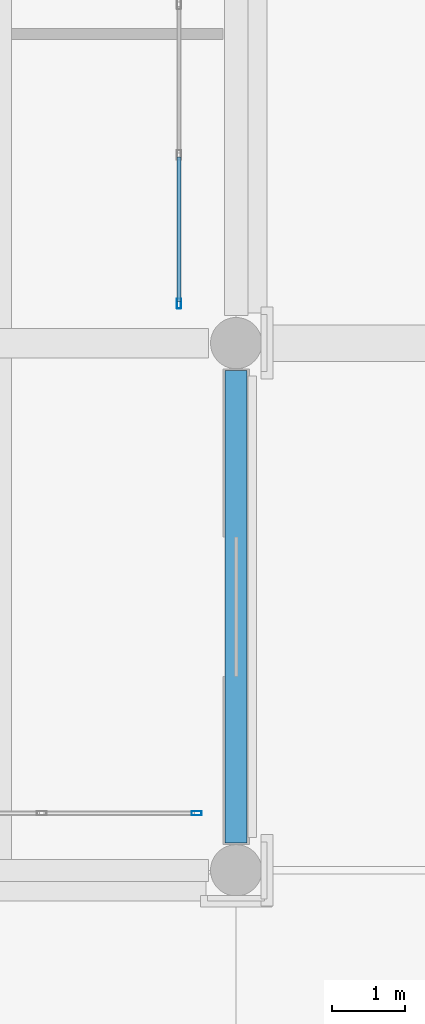
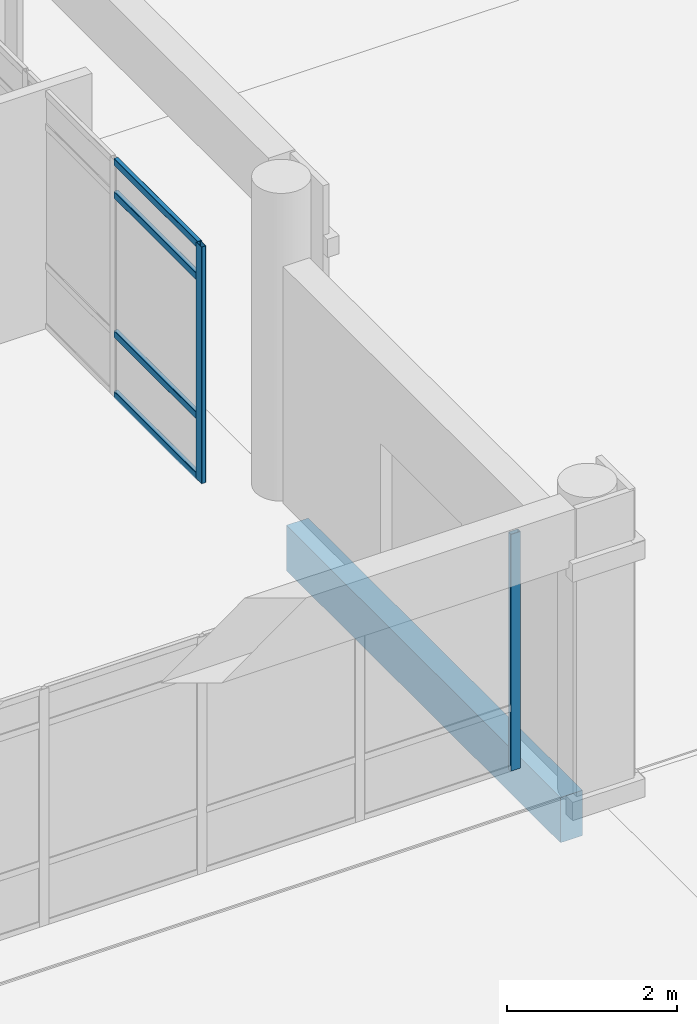
# One storey, part 60 of 196: 6 members, 1 beam, 2 elements without a shape of their own.
"""IFC4 building model written with IfcOpenShell, lengths in metres."""

from ifc_helpers import new_model, si_unit, direction, frame, origin, origin_2d, place, context, subcontext, project, spatial, rectangle, hollow_rectangle, extrude, material, layer, layer_set, material_profile, profile_set, type_object, element, aggregate, save


model = new_model("IFC4")

# Units and contexts
model_context = context("Model", 3, precision=1e-05, world=origin(), true_north=direction((0.0, 1.0)))
body_context = subcontext(model_context, "Body", "Model", "MODEL_VIEW")
ifc_project = project(units=[si_unit("LENGTHUNIT", "METRE"), si_unit("AREAUNIT", "SQUARE_METRE"), si_unit("VOLUMEUNIT", "CUBIC_METRE"), si_unit("PLANEANGLEUNIT", "RADIAN"), si_unit("MASSUNIT", "GRAM", prefix="KILO")], contexts=[model_context])

# Site, building, storey
site_placement = place(None, origin())
site = spatial("IfcSite", under=ifc_project, at=site_placement, CompositionType="ELEMENT")
building_placement = place(site_placement, origin())
building = spatial("IfcBuilding", under=site, at=building_placement, Name="Asteropetra Specialist Clinic", CompositionType="ELEMENT")
storey_placement = place(building_placement, origin())
storey = spatial("IfcBuildingStorey", under=building, at=storey_placement, Name="L00", CompositionType="ELEMENT", Elevation=0.0)

# Curtain wall, member
ifc_material_1 = material(Name="Aluminium and low-E glass", Category="aluminium")
ifc_layer_1 = layer(ifc_material_1, 0.14990234375)
ifc_layer_set_1 = layer_set([ifc_layer_1], Name="Aluminium and low-E glass")
curtain_wall_type_1 = type_object("IfcCurtainWallType", Name="CW-SYS-11", PredefinedType="USERDEFINED", material=ifc_layer_set_1)
curtain_wall_1_placement = place(storey_placement, origin())
curtain_wall_1 = element("IfcCurtainWall", 1, at=curtain_wall_1_placement, inside=storey, type_object=curtain_wall_type_1, Name="Curtain Wall CW-149", ObjectType="STICK GLAZED COLONNADE", PredefinedType="USERDEFINED")
ifc_material_2 = material(Name="Aluminium 6063-T6", Category="aluminium")
ifc_material_profile_1 = material_profile(ifc_material_2, hollow_rectangle(XDim=0.06005859375, YDim=0.135009765625, WallThickness=0.00341796875, InnerFilletRadius=0.00341796875, OuterFilletRadius=0.007080078125, at=origin_2d()), Name="MUL 135x60x3.5")
ifc_profile_set_1 = profile_set([ifc_material_profile_1], Name="Aluminium 6063-T6")
member_type_1 = type_object("IfcMemberType", Name="CWM-135x60", PredefinedType="MULLION", material=ifc_profile_set_1)
member_1_placement = place(storey_placement, frame((47.4599609375, 34.3798828125, 0.0), z_axis=(0.0, 0.0, 1.0), x_axis=(0.0, 1.0, 0.0)))
member_1 = element("IfcMember", 2, at=member_1_placement, type_object=member_type_1, Name="CW-149 mullion 5", PredefinedType="MULLION", context=body_context, shape_type="SweptSolid", body=[
    extrude(hollow_rectangle(XDim=0.06005859375, YDim=0.135009765625, WallThickness=0.00341796875, InnerFilletRadius=0.00341796875, OuterFilletRadius=0.007080078125, at=origin_2d()), origin(), (0.0, 0.0, 1.0), 3.39990234375),
])
aggregate(curtain_wall_1, [member_1])

# Curtain wall, members
ifc_material_3 = material(Name="Aluminium and low-E glass", Category="aluminium")
ifc_layer_2 = layer(ifc_material_3, 0.179931640625)
ifc_layer_set_2 = layer_set([ifc_layer_2], Name="Aluminium and low-E glass")
curtain_wall_type_2 = type_object("IfcCurtainWallType", Name="CW-SYS-10", PredefinedType="USERDEFINED", material=ifc_layer_set_2)
curtain_wall_2_placement = place(storey_placement, origin())
curtain_wall_2 = element("IfcCurtainWall", 3, at=curtain_wall_2_placement, inside=storey, type_object=curtain_wall_type_2, Name="Curtain Wall CW-152", ObjectType="STICK GLAZED COLONNADE", PredefinedType="USERDEFINED")
member_2_placement = place(storey_placement, frame((47.219970703125, 41.340087890625, 0.0), z_axis=(0.0, 0.0, 1.0), x_axis=(-1.0, 0.0, 0.0)))
member_2 = element("IfcMember", 4, at=member_2_placement, type_object=member_type_1, Name="CW-152 mullion 1", PredefinedType="MULLION", context=body_context, shape_type="SweptSolid", body=[
    extrude(hollow_rectangle(XDim=0.06005859375, YDim=0.135009765625, WallThickness=0.00341796875, InnerFilletRadius=0.00341796875, OuterFilletRadius=0.007080078125, at=origin_2d()), origin(), (0.0, 0.0, 1.0), 3.39990234375),
])
ifc_material_4 = material(Name="Aluminium 6063-T6", Category="aluminium")
ifc_material_profile_2 = material_profile(ifc_material_4, hollow_rectangle(XDim=0.06005859375, YDim=0.10009765625, WallThickness=0.00341796875, InnerFilletRadius=0.00341796875, OuterFilletRadius=0.007080078125, at=origin_2d()), Name="TRN 100x60x3.5")
ifc_profile_set_2 = profile_set([ifc_material_profile_2], Name="Aluminium 6063-T6")
member_type_2 = type_object("IfcMemberType", Name="CWT-100x60", PredefinedType="USERDEFINED", material=ifc_profile_set_2)
member_3_placement = place(storey_placement, frame((47.219970703125, 41.3701171875, 0.030029296875), z_axis=(0.0, 1.0, 0.0), x_axis=(-1.0, 0.0, 0.0)))
member_3 = element("IfcMember", 5, at=member_3_placement, type_object=member_type_2, Name="CW-152 transom 1.1", ObjectType="TRANSOM", PredefinedType="USERDEFINED", context=body_context, shape_type="SweptSolid", body=[
    extrude(hollow_rectangle(XDim=0.06005859375, YDim=0.10009765625, WallThickness=0.00341796875, InnerFilletRadius=0.00341796875, OuterFilletRadius=0.007080078125, at=origin_2d()), origin(), (0.0, 0.0, 1.0), 1.969970703125),
])
member_4_placement = place(storey_placement, frame((47.219970703125, 41.3701171875, 0.89990234375), z_axis=(0.0, 1.0, 0.0), x_axis=(-1.0, 0.0, 0.0)))
member_4 = element("IfcMember", 6, at=member_4_placement, type_object=member_type_2, Name="CW-152 transom 1.2", ObjectType="TRANSOM", PredefinedType="USERDEFINED", context=body_context, shape_type="SweptSolid", body=[
    extrude(hollow_rectangle(XDim=0.06005859375, YDim=0.10009765625, WallThickness=0.00341796875, InnerFilletRadius=0.00341796875, OuterFilletRadius=0.007080078125, at=origin_2d()), origin(), (0.0, 0.0, 1.0), 1.969970703125),
])
member_5_placement = place(storey_placement, frame((47.219970703125, 41.3701171875, 2.89990234375), z_axis=(0.0, 1.0, 0.0), x_axis=(-1.0, 0.0, 0.0)))
member_5 = element("IfcMember", 7, at=member_5_placement, type_object=member_type_2, Name="CW-152 transom 1.3", ObjectType="TRANSOM", PredefinedType="USERDEFINED", context=body_context, shape_type="SweptSolid", body=[
    extrude(hollow_rectangle(XDim=0.06005859375, YDim=0.10009765625, WallThickness=0.00341796875, InnerFilletRadius=0.00341796875, OuterFilletRadius=0.007080078125, at=origin_2d()), origin(), (0.0, 0.0, 1.0), 1.969970703125),
])
member_6_placement = place(storey_placement, frame((47.219970703125, 41.3701171875, 3.3701171875), z_axis=(0.0, 1.0, 0.0), x_axis=(-1.0, 0.0, 0.0)))
member_6 = element("IfcMember", 8, at=member_6_placement, type_object=member_type_2, Name="CW-152 transom 1.4", ObjectType="TRANSOM", PredefinedType="USERDEFINED", context=body_context, shape_type="SweptSolid", body=[
    extrude(hollow_rectangle(XDim=0.06005859375, YDim=0.10009765625, WallThickness=0.00341796875, InnerFilletRadius=0.00341796875, OuterFilletRadius=0.007080078125, at=origin_2d()), origin(), (0.0, 0.0, 1.0), 1.969970703125),
])
aggregate(curtain_wall_2, [member_2, member_3, member_4, member_5, member_6])

# Beam
ifc_material_5 = material(Name="Concrete C35/45", Category="concrete")
ifc_material_profile_3 = material_profile(ifc_material_5, rectangle(XDim=0.300048828125, YDim=0.64990234375, at=origin_2d()), Name="RCS 300x650")
ifc_profile_set_3 = profile_set([ifc_material_profile_3], Name="Concrete C35/45")
beam_type = type_object("IfcBeamType", Name="SPN-RC300x650", PredefinedType="SPANDREL", material=ifc_profile_set_3)
beam_placement = place(storey_placement, frame((48.0, 33.97509765625, -0.635009765625), z_axis=(0.0, 1.0, 0.0), x_axis=(-1.0, 0.0, 0.0)))
element("IfcBeam", 9, at=beam_placement, inside=storey, type_object=beam_type, Name="Beam BSPN03-0163", PredefinedType="SPANDREL", context=body_context, shape_type="SweptSolid", body=[
    extrude(rectangle(XDim=0.300048828125, YDim=0.64990234375, at=origin_2d()), origin(), (0.0, 0.0, 1.0), 6.449951171875),
])

save(model, "model.ifc")
